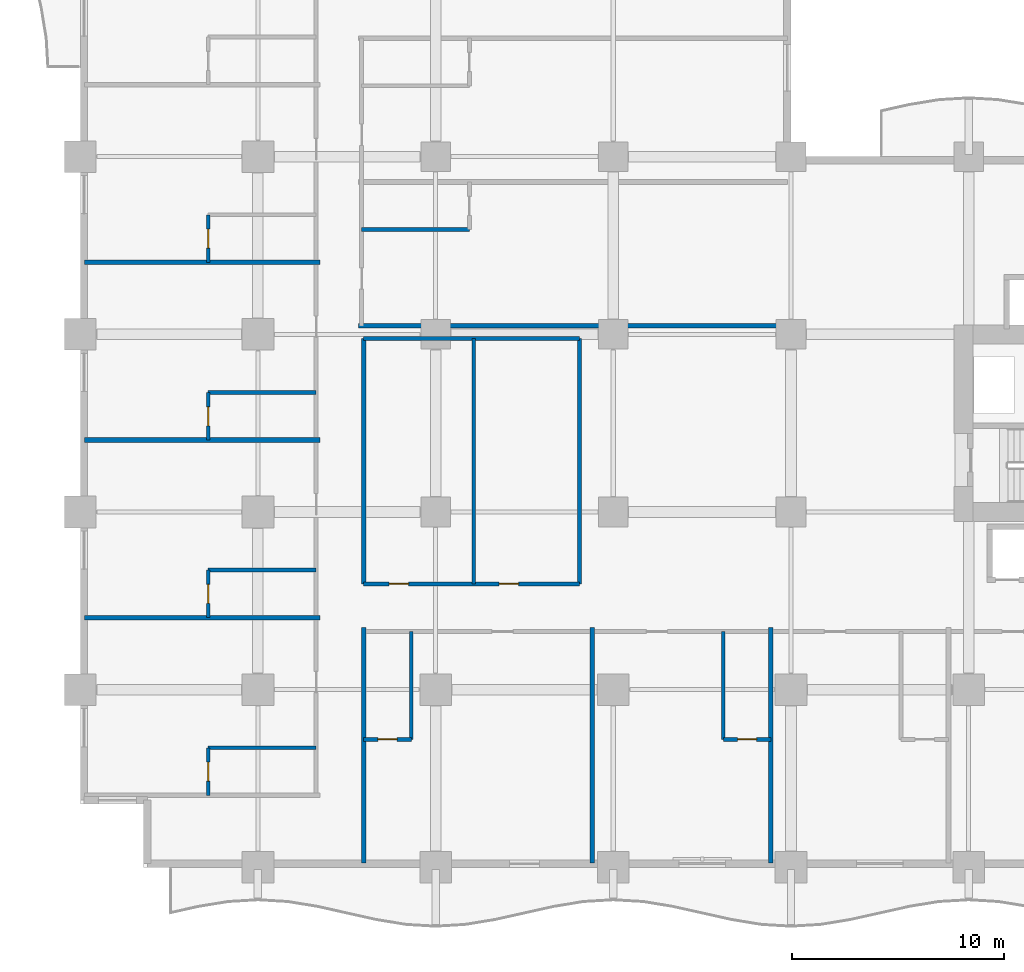
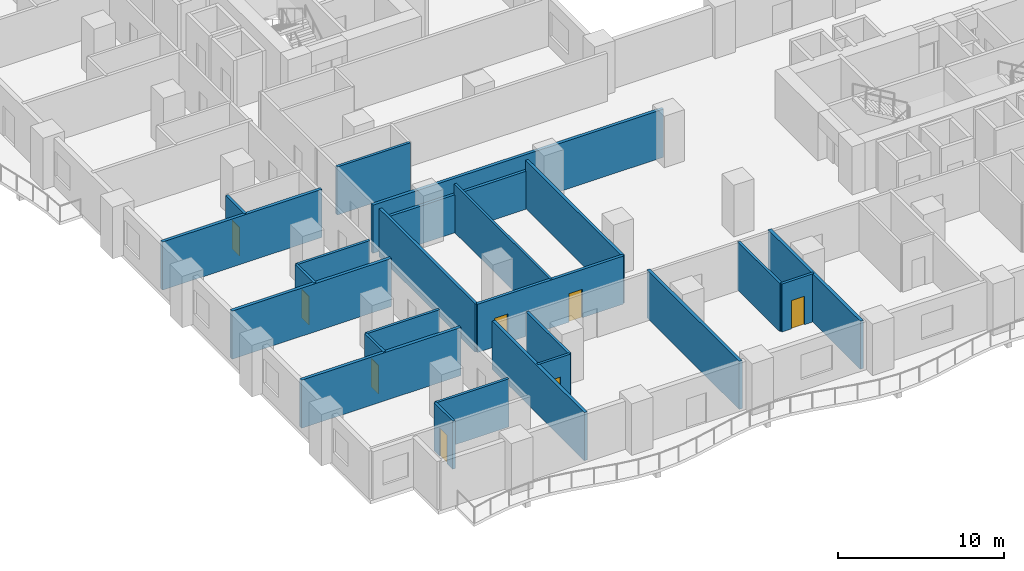
# One storey, part 7 of 23: 24 walls, 8 doors, 8 openings.
"""IFC4 building model written with IfcOpenShell, lengths in metres."""

from ifc_helpers import new_model, si_unit, direction, frame, frame_2d, origin, place, context, subcontext, project, spatial, rectangle, extrude, material, layer, layer_set, type_object, element, fill, save


model = new_model("IFC4")

# Units and contexts
model_context = context("Model", 3, precision=1e-05, world=origin(), true_north=direction((0.0, 1.0)))
body_context = subcontext(model_context, "Body", "Model", "MODEL_VIEW")
ifc_project = project(units=[si_unit("LENGTHUNIT", "METRE"), si_unit("AREAUNIT", "SQUARE_METRE"), si_unit("VOLUMEUNIT", "CUBIC_METRE"), si_unit("PLANEANGLEUNIT", "RADIAN"), si_unit("MASSUNIT", "GRAM", prefix="KILO")], contexts=[model_context])

# Site, building, storey
site_placement = place(None, origin())
site = spatial("IfcSite", under=ifc_project, at=site_placement, CompositionType="ELEMENT")
building_placement = place(site_placement, origin())
building = spatial("IfcBuilding", under=site, at=building_placement, Name="Koriwani Terraces Tower", CompositionType="ELEMENT")
storey_placement = place(building_placement, frame((0.0, 0.0, 32.0)))
storey = spatial("IfcBuildingStorey", under=building, at=storey_placement, Name="L06", CompositionType="ELEMENT", Elevation=32.0)

# Wall, openings, doors
ifc_material_1 = material(Name="Autoclaved Cellular Concrete Blockwork", Category="masonry")
ifc_layer_1 = layer(ifc_material_1, 0.199951171875, Name="Autoclaved Cellular Concrete Blockwork")
ifc_layer_set_1 = layer_set([ifc_layer_1], Name="Autoclaved Cellular Concrete Blockwork")
wall_type_1 = type_object("IfcWallType", Name="WALL_CORRIDOR_200", PredefinedType="PARTITIONING", material=ifc_layer_set_1)
wall_1_placement = place(storey_placement, frame((13.39990234375, 13.39990234375, 0.0), z_axis=(0.0, 0.0, 1.0), x_axis=(1.0, 0.0, 0.0)))
wall_1 = element("IfcWall", 1, at=wall_1_placement, inside=storey, type_object=wall_type_1, Name="L06 Interior Wall WHK-L06-S", PredefinedType="PARTITIONING", context=body_context, shape_type="SweptSolid", body=[
    extrude(rectangle(XDim=10.2001953125, YDim=0.199951171875, at=frame_2d((5.10009765625, 0.0))), origin(), (0.0, 0.0, 1.0), 3.550048828125),
])
opening_1_placement = place(wall_1_placement, frame((1.199951171875, 0.0, 0.0)))
opening_1 = element("IfcOpeningElement", 2, at=opening_1_placement, cuts=wall_1, Name="Opening D-06", PredefinedType="OPENING", context=body_context, shape_type="SweptSolid", body=[
    extrude(rectangle(XDim=0.919921875, YDim=2.10009765625, at=frame_2d((0.4599609375, 1.050048828125))), frame((0.0, 0.10986328125, 0.0), z_axis=(0.0, -1.0, 0.0), x_axis=(1.0, 0.0, 0.0)), (0.0, 0.0, 1.0), 0.219970703125),
])
opening_2_placement = place(wall_1_placement, frame((6.39990234375, 0.0, 0.0)))
opening_2 = element("IfcOpeningElement", 3, at=opening_2_placement, cuts=wall_1, Name="Opening D-06", PredefinedType="OPENING", context=body_context, shape_type="SweptSolid", body=[
    extrude(rectangle(XDim=0.919921875, YDim=2.10009765625, at=frame_2d((0.4599609375, 1.050048828125))), frame((0.0, 0.10986328125, 0.0), z_axis=(0.0, -1.0, 0.0), x_axis=(1.0, 0.0, 0.0)), (0.0, 0.0, 1.0), 0.219970703125),
])
ifc_material_2 = material(Name="Architectural Oak Fire Door", Category="wood")
door_type_1 = type_object("IfcDoorType", Name="DOOR_ROOM_INT_920X2100", OperationType="NOTDEFINED", PredefinedType="DOOR", material=ifc_material_2)
door_1_placement = place(opening_1_placement, origin())
door_1 = element("IfcDoor", 4, at=door_1_placement, inside=storey, type_object=door_type_1, Name="L06 Housekeeping and Linen Room Door", OperationType="SINGLE_SWING_RIGHT", OverallHeight=2.10009765625, OverallWidth=0.919921875, PredefinedType="DOOR", context=body_context, shape_type="SweptSolid", body=[
    extrude(rectangle(XDim=0.919921875, YDim=2.10009765625, at=frame_2d((0.4599609375, 1.050048828125))), frame((0.0, 0.02490234375, 0.0), z_axis=(0.0, -1.0, 0.0), x_axis=(1.0, 0.0, 0.0)), (0.0, 0.0, 1.0), 0.050048828125),
])
fill(opening_1, door_1)
door_2_placement = place(opening_2_placement, origin())
door_2 = element("IfcDoor", 5, at=door_2_placement, inside=storey, type_object=door_type_1, Name="L06 Guest Study Lounge Door", OperationType="SINGLE_SWING_LEFT", OverallHeight=2.10009765625, OverallWidth=0.919921875, PredefinedType="DOOR", context=body_context, shape_type="SweptSolid", body=[
    extrude(rectangle(XDim=0.919921875, YDim=2.10009765625, at=frame_2d((0.4599609375, 1.050048828125))), frame((0.0, 0.02490234375, 0.0), z_axis=(0.0, -1.0, 0.0), x_axis=(1.0, 0.0, 0.0)), (0.0, 0.0, 1.0), 0.050048828125),
])
fill(opening_2, door_2)

# Walls
wall_2_placement = place(storey_placement, frame((13.39990234375, 25.0, 0.0), z_axis=(0.0, 0.0, 1.0), x_axis=(1.0, 0.0, 0.0)))
element("IfcWall", 6, at=wall_2_placement, inside=storey, type_object=wall_type_1, Name="L06 Interior Wall WHK-L06-N", PredefinedType="PARTITIONING", context=body_context, shape_type="SweptSolid", body=[
    extrude(rectangle(XDim=10.2001953125, YDim=0.199951171875, at=frame_2d((5.10009765625, 0.0))), origin(), (0.0, 0.0, 1.0), 2.800048828125),
])
for number, where, z_axis, x_axis, name in (
    (7, (13.39990234375, 13.39990234375, 0.0), (0.0, 0.0, 1.0), (0.0, 1.0, 0.0), "L06 Interior Wall WHK-L06-W"),
    (8, (23.60009765625, 13.39990234375, 0.0), (0.0, 0.0, 1.0), (0.0, 1.0, 0.0), "L06 Interior Wall WHK-L06-E"),
):
    element("IfcWall", number, at=place(storey_placement, frame(where, z_axis=z_axis, x_axis=x_axis)), inside=storey, type_object=wall_type_1, Name=name, PredefinedType="PARTITIONING", context=body_context, shape_type="SweptSolid", body=[
        extrude(rectangle(XDim=11.60009765625, YDim=0.199951171875, at=frame_2d((5.800048828125, 0.0))), origin(), (0.0, 0.0, 1.0), 3.550048828125),
    ])
ifc_layer_2 = layer(ifc_material_1, 0.219970703125, Name="Autoclaved Cellular Concrete Blockwork")
ifc_layer_set_2 = layer_set([ifc_layer_2], Name="Autoclaved Cellular Concrete Blockwork")
wall_type_2 = type_object("IfcWallType", Name="WALL_DEMISING_220", PredefinedType="PARTITIONING", material=ifc_layer_set_2)
wall_3_placement = place(storey_placement, frame((13.14990234375, 25.60009765625, 0.0), z_axis=(0.0, 0.0, 1.0), x_axis=(1.0, 0.0, 0.0)))
element("IfcWall", 9, at=wall_3_placement, inside=storey, type_object=wall_type_2, Name="L06 Interior Wall WDEM-L06-NWI-0", PredefinedType="PARTITIONING", context=body_context, shape_type="SweptSolid", body=[
    extrude(rectangle(XDim=20.280029296875, YDim=0.219970703125, at=frame_2d((10.14013671875, 0.0))), origin(), (0.0, 0.0, 1.0), 3.550048828125),
])
for number, where, z_axis, x_axis, name in (
    (10, (0.199951171875, 11.800048828125, 0.0), (0.0, 0.0, 1.0), (1.0, 0.0, 0.0), "L06 Interior Wall WDEM-L06-NW-1"),
    (11, (0.199951171875, 20.199951171875, 0.0), (0.0, 0.0, 1.0), (1.0, 0.0, 0.0), "L06 Interior Wall WDEM-L06-NW-2"),
    (12, (0.199951171875, 28.60009765625, 0.0), (0.0, 0.0, 1.0), (1.0, 0.0, 0.0), "L06 Interior Wall WDEM-L06-NW-3"),
    (13, (13.39990234375, 0.199951171875, 0.0), (0.0, 0.0, 1.0), (0.0, 1.0, 0.0), "L06 Interior Wall WDEM-L06-SW-0"),
    (14, (24.199951171875, 0.199951171875, 0.0), (0.0, 0.0, 1.0), (0.0, 1.0, 0.0), "L06 Interior Wall WDEM-L06-SW-1"),
    (15, (32.64990234375, 0.199951171875, 0.0), (0.0, 0.0, 1.0), (0.0, 1.0, 0.0), "L06 Interior Wall WDEM-L06-SW-2"),
):
    element("IfcWall", number, at=place(storey_placement, frame(where, z_axis=z_axis, x_axis=x_axis)), inside=storey, type_object=wall_type_2, Name=name, PredefinedType="PARTITIONING", context=body_context, shape_type="SweptSolid", body=[
        extrude(rectangle(XDim=11.130126953125, YDim=0.219970703125, at=frame_2d((5.56494140625, 0.0))), origin(), (0.0, 0.0, 1.0), 3.550048828125),
    ])
ifc_material_3 = material(Name="Fire-Rated Acoustic Gypsum Partition", Category="masonry")
ifc_layer_3 = layer(ifc_material_3, 0.179931640625, Name="Fire-Rated Acoustic Gypsum Partition")
ifc_layer_set_3 = layer_set([ifc_layer_3], Name="Fire-Rated Acoustic Gypsum Partition")
wall_type_3 = type_object("IfcWallType", Name="WALL_PLUMBING_180", PredefinedType="PLUMBINGWALL", material=ifc_layer_set_3)
wall_4_placement = place(storey_placement, frame((13.300048828125, 30.14990234375, 0.0), z_axis=(0.0, 0.0, 1.0), x_axis=(1.0, 0.0, 0.0)))
element("IfcWall", 16, at=wall_4_placement, inside=storey, type_object=wall_type_3, Name="L06 Interior Wall WBTH2-L06-NWI-0", PredefinedType="PLUMBINGWALL", context=body_context, shape_type="SweptSolid", body=[
    extrude(rectangle(XDim=5.099853515625, YDim=0.179931640625, at=frame_2d((2.5498046875, 0.0))), origin(), (0.0, 0.0, 1.0), 3.550048828125),
])

# Wall, opening, door
wall_5_placement = place(storey_placement, frame((6.050048828125, 3.39990234375, 0.0), z_axis=(0.0, 0.0, 1.0), x_axis=(0.0, 1.0, 0.0)))
wall_5 = element("IfcWall", 17, at=wall_5_placement, inside=storey, type_object=wall_type_3, Name="L06 Interior Wall WBTH1-L06-NW-0", PredefinedType="PLUMBINGWALL", context=body_context, shape_type="SweptSolid", body=[
    extrude(rectangle(XDim=2.25, YDim=0.179931640625, at=frame_2d((1.125, 0.0))), origin(), (0.0, 0.0, 1.0), 3.550048828125),
])
opening_3_placement = place(wall_5_placement, frame((0.675048828125, 0.0, 0.0)))
opening_3 = element("IfcOpeningElement", 18, at=opening_3_placement, cuts=wall_5, Name="Opening D-07", PredefinedType="OPENING", context=body_context, shape_type="SweptSolid", body=[
    extrude(rectangle(XDim=0.89990234375, YDim=2.10009765625, at=frame_2d((0.449951171875, 1.050048828125))), frame((0.0, 0.10009765625, 0.0), z_axis=(0.0, -1.0, 0.0), x_axis=(1.0, 0.0, 0.0)), (0.0, 0.0, 1.0), 0.199951171875),
])
door_type_2 = type_object("IfcDoorType", Name="DOOR_BATH_INT_900X2100", OperationType="NOTDEFINED", PredefinedType="DOOR", material=ifc_material_2)
door_3_placement = place(opening_3_placement, origin())
door_3 = element("IfcDoor", 19, at=door_3_placement, inside=storey, type_object=door_type_2, Name="En-Suite Bathroom 06NW1 Door", OperationType="SINGLE_SWING_LEFT", OverallHeight=2.10009765625, OverallWidth=0.89990234375, PredefinedType="DOOR", context=body_context, shape_type="SweptSolid", body=[
    extrude(rectangle(XDim=0.89990234375, YDim=2.10009765625, at=frame_2d((0.449951171875, 1.050048828125))), frame((0.0, 0.02490234375, 0.0), z_axis=(0.0, -1.0, 0.0), x_axis=(1.0, 0.0, 0.0)), (0.0, 0.0, 1.0), 0.050048828125),
])
fill(opening_3, door_3)

# Wall
wall_6_placement = place(storey_placement, frame((6.050048828125, 5.64990234375, 0.0), z_axis=(0.0, 0.0, 1.0), x_axis=(1.0, 0.0, 0.0)))
element("IfcWall", 20, at=wall_6_placement, inside=storey, type_object=wall_type_3, Name="L06 Interior Wall WBTH2-L06-NW-0", PredefinedType="PLUMBINGWALL", context=body_context, shape_type="SweptSolid", body=[
    extrude(rectangle(XDim=5.099853515625, YDim=0.179931640625, at=frame_2d((2.5498046875, 0.0))), origin(), (0.0, 0.0, 1.0), 3.550048828125),
])

# Wall, opening, door
wall_7_placement = place(storey_placement, frame((6.050048828125, 11.800048828125, 0.0), z_axis=(0.0, 0.0, 1.0), x_axis=(0.0, 1.0, 0.0)))
wall_7 = element("IfcWall", 21, at=wall_7_placement, inside=storey, type_object=wall_type_3, Name="L06 Interior Wall WBTH1-L06-NW-1", PredefinedType="PLUMBINGWALL", context=body_context, shape_type="SweptSolid", body=[
    extrude(rectangle(XDim=2.25, YDim=0.179931640625, at=frame_2d((1.125, 0.0))), origin(), (0.0, 0.0, 1.0), 3.550048828125),
])
opening_4_placement = place(wall_7_placement, frame((0.675048828125, 0.0, 0.0)))
opening_4 = element("IfcOpeningElement", 22, at=opening_4_placement, cuts=wall_7, Name="Opening D-07", PredefinedType="OPENING", context=body_context, shape_type="SweptSolid", body=[
    extrude(rectangle(XDim=0.89990234375, YDim=2.10009765625, at=frame_2d((0.449951171875, 1.050048828125))), frame((0.0, 0.10009765625, 0.0), z_axis=(0.0, -1.0, 0.0), x_axis=(1.0, 0.0, 0.0)), (0.0, 0.0, 1.0), 0.199951171875),
])
door_4_placement = place(opening_4_placement, origin())
door_4 = element("IfcDoor", 23, at=door_4_placement, inside=storey, type_object=door_type_2, Name="En-Suite Bathroom 06NW2 Door", OperationType="SINGLE_SWING_LEFT", OverallHeight=2.10009765625, OverallWidth=0.89990234375, PredefinedType="DOOR", context=body_context, shape_type="SweptSolid", body=[
    extrude(rectangle(XDim=0.89990234375, YDim=2.10009765625, at=frame_2d((0.449951171875, 1.050048828125))), frame((0.0, 0.02490234375, 0.0), z_axis=(0.0, -1.0, 0.0), x_axis=(1.0, 0.0, 0.0)), (0.0, 0.0, 1.0), 0.050048828125),
])
fill(opening_4, door_4)

# Wall
wall_8_placement = place(storey_placement, frame((6.050048828125, 14.050048828125, 0.0), z_axis=(0.0, 0.0, 1.0), x_axis=(1.0, 0.0, 0.0)))
element("IfcWall", 24, at=wall_8_placement, inside=storey, type_object=wall_type_3, Name="L06 Interior Wall WBTH2-L06-NW-1", PredefinedType="PLUMBINGWALL", context=body_context, shape_type="SweptSolid", body=[
    extrude(rectangle(XDim=5.099853515625, YDim=0.179931640625, at=frame_2d((2.5498046875, 0.0))), origin(), (0.0, 0.0, 1.0), 3.550048828125),
])

# Wall, opening, door
wall_9_placement = place(storey_placement, frame((6.050048828125, 20.199951171875, 0.0), z_axis=(0.0, 0.0, 1.0), x_axis=(0.0, 1.0, 0.0)))
wall_9 = element("IfcWall", 25, at=wall_9_placement, inside=storey, type_object=wall_type_3, Name="L06 Interior Wall WBTH1-L06-NW-2", PredefinedType="PLUMBINGWALL", context=body_context, shape_type="SweptSolid", body=[
    extrude(rectangle(XDim=2.25, YDim=0.179931640625, at=frame_2d((1.125, 0.0))), origin(), (0.0, 0.0, 1.0), 3.550048828125),
])
opening_5_placement = place(wall_9_placement, frame((0.675048828125, 0.0, 0.0)))
opening_5 = element("IfcOpeningElement", 26, at=opening_5_placement, cuts=wall_9, Name="Opening D-07", PredefinedType="OPENING", context=body_context, shape_type="SweptSolid", body=[
    extrude(rectangle(XDim=0.89990234375, YDim=2.10009765625, at=frame_2d((0.449951171875, 1.050048828125))), frame((0.0, 0.10009765625, 0.0), z_axis=(0.0, -1.0, 0.0), x_axis=(1.0, 0.0, 0.0)), (0.0, 0.0, 1.0), 0.199951171875),
])
door_5_placement = place(opening_5_placement, origin())
door_5 = element("IfcDoor", 27, at=door_5_placement, inside=storey, type_object=door_type_2, Name="En-Suite Bathroom 06NW3 Door", OperationType="SINGLE_SWING_LEFT", OverallHeight=2.10009765625, OverallWidth=0.89990234375, PredefinedType="DOOR", context=body_context, shape_type="SweptSolid", body=[
    extrude(rectangle(XDim=0.89990234375, YDim=2.10009765625, at=frame_2d((0.449951171875, 1.050048828125))), frame((0.0, 0.02490234375, 0.0), z_axis=(0.0, -1.0, 0.0), x_axis=(1.0, 0.0, 0.0)), (0.0, 0.0, 1.0), 0.050048828125),
])
fill(opening_5, door_5)

# Wall
wall_10_placement = place(storey_placement, frame((6.050048828125, 22.449951171875, 0.0), z_axis=(0.0, 0.0, 1.0), x_axis=(1.0, 0.0, 0.0)))
element("IfcWall", 28, at=wall_10_placement, inside=storey, type_object=wall_type_3, Name="L06 Interior Wall WBTH2-L06-NW-2", PredefinedType="PLUMBINGWALL", context=body_context, shape_type="SweptSolid", body=[
    extrude(rectangle(XDim=5.099853515625, YDim=0.179931640625, at=frame_2d((2.5498046875, 0.0))), origin(), (0.0, 0.0, 1.0), 3.550048828125),
])

# Wall, opening, door
wall_11_placement = place(storey_placement, frame((6.050048828125, 28.60009765625, 0.0), z_axis=(0.0, 0.0, 1.0), x_axis=(0.0, 1.0, 0.0)))
wall_11 = element("IfcWall", 29, at=wall_11_placement, inside=storey, type_object=wall_type_3, Name="L06 Interior Wall WBTH1-L06-NW-3", PredefinedType="PLUMBINGWALL", context=body_context, shape_type="SweptSolid", body=[
    extrude(rectangle(XDim=2.25, YDim=0.179931640625, at=frame_2d((1.125, 0.0))), origin(), (0.0, 0.0, 1.0), 3.550048828125),
])
opening_6_placement = place(wall_11_placement, frame((0.675048828125, 0.0, 0.0)))
opening_6 = element("IfcOpeningElement", 30, at=opening_6_placement, cuts=wall_11, Name="Opening D-07", PredefinedType="OPENING", context=body_context, shape_type="SweptSolid", body=[
    extrude(rectangle(XDim=0.89990234375, YDim=2.10009765625, at=frame_2d((0.449951171875, 1.050048828125))), frame((0.0, 0.10009765625, 0.0), z_axis=(0.0, -1.0, 0.0), x_axis=(1.0, 0.0, 0.0)), (0.0, 0.0, 1.0), 0.199951171875),
])
door_6_placement = place(opening_6_placement, origin())
door_6 = element("IfcDoor", 31, at=door_6_placement, inside=storey, type_object=door_type_2, Name="En-Suite Bathroom 06NW4 Door", OperationType="SINGLE_SWING_LEFT", OverallHeight=2.10009765625, OverallWidth=0.89990234375, PredefinedType="DOOR", context=body_context, shape_type="SweptSolid", body=[
    extrude(rectangle(XDim=0.89990234375, YDim=2.10009765625, at=frame_2d((0.449951171875, 1.050048828125))), frame((0.0, 0.02490234375, 0.0), z_axis=(0.0, -1.0, 0.0), x_axis=(1.0, 0.0, 0.0)), (0.0, 0.0, 1.0), 0.050048828125),
])
fill(opening_6, door_6)

wall_12_placement = place(storey_placement, frame((13.39990234375, 6.050048828125, 0.0), z_axis=(0.0, 0.0, 1.0), x_axis=(1.0, 0.0, 0.0)))
wall_12 = element("IfcWall", 32, at=wall_12_placement, inside=storey, type_object=wall_type_3, Name="L06 Interior Wall WBTH1-L06-SW-0", PredefinedType="PLUMBINGWALL", context=body_context, shape_type="SweptSolid", body=[
    extrude(rectangle(XDim=2.25, YDim=0.179931640625, at=frame_2d((1.125, 0.0))), origin(), (0.0, 0.0, 1.0), 3.550048828125),
])
opening_7_placement = place(wall_12_placement, frame((0.675048828125, 0.0, 0.0)))
opening_7 = element("IfcOpeningElement", 33, at=opening_7_placement, cuts=wall_12, Name="Opening D-07", PredefinedType="OPENING", context=body_context, shape_type="SweptSolid", body=[
    extrude(rectangle(XDim=0.89990234375, YDim=2.10009765625, at=frame_2d((0.449951171875, 1.050048828125))), frame((0.0, 0.10009765625, 0.0), z_axis=(0.0, -1.0, 0.0), x_axis=(1.0, 0.0, 0.0)), (0.0, 0.0, 1.0), 0.199951171875),
])
door_7_placement = place(opening_7_placement, origin())
door_7 = element("IfcDoor", 34, at=door_7_placement, inside=storey, type_object=door_type_2, Name="En-Suite Bathroom 06SW1 Door", OperationType="SINGLE_SWING_LEFT", OverallHeight=2.10009765625, OverallWidth=0.89990234375, PredefinedType="DOOR", context=body_context, shape_type="SweptSolid", body=[
    extrude(rectangle(XDim=0.89990234375, YDim=2.10009765625, at=frame_2d((0.449951171875, 1.050048828125))), frame((0.0, 0.02490234375, 0.0), z_axis=(0.0, -1.0, 0.0), x_axis=(1.0, 0.0, 0.0)), (0.0, 0.0, 1.0), 0.050048828125),
])
fill(opening_7, door_7)

# Wall
wall_13_placement = place(storey_placement, frame((15.64990234375, 6.050048828125, 0.0), z_axis=(0.0, 0.0, 1.0), x_axis=(0.0, 1.0, 0.0)))
element("IfcWall", 35, at=wall_13_placement, inside=storey, type_object=wall_type_3, Name="L06 Interior Wall WBTH2-L06-SW-0", PredefinedType="PLUMBINGWALL", context=body_context, shape_type="SweptSolid", body=[
    extrude(rectangle(XDim=5.099853515625, YDim=0.179931640625, at=frame_2d((2.5498046875, 0.0))), origin(), (0.0, 0.0, 1.0), 3.550048828125),
])

# Wall, opening, door
wall_14_placement = place(storey_placement, frame((30.39990234375, 6.050048828125, 0.0), z_axis=(0.0, 0.0, 1.0), x_axis=(1.0, 0.0, 0.0)))
wall_14 = element("IfcWall", 36, at=wall_14_placement, inside=storey, type_object=wall_type_3, Name="L06 Interior Wall WBTH1-L06-SW-1", PredefinedType="PLUMBINGWALL", context=body_context, shape_type="SweptSolid", body=[
    extrude(rectangle(XDim=2.25, YDim=0.179931640625, at=frame_2d((1.125, 0.0))), origin(), (0.0, 0.0, 1.0), 3.550048828125),
])
opening_8_placement = place(wall_14_placement, frame((0.675048828125, 0.0, 0.0)))
opening_8 = element("IfcOpeningElement", 37, at=opening_8_placement, cuts=wall_14, Name="Opening D-07", PredefinedType="OPENING", context=body_context, shape_type="SweptSolid", body=[
    extrude(rectangle(XDim=0.89990234375, YDim=2.10009765625, at=frame_2d((0.449951171875, 1.050048828125))), frame((0.0, 0.10009765625, 0.0), z_axis=(0.0, -1.0, 0.0), x_axis=(1.0, 0.0, 0.0)), (0.0, 0.0, 1.0), 0.199951171875),
])
door_8_placement = place(opening_8_placement, origin())
door_8 = element("IfcDoor", 38, at=door_8_placement, inside=storey, type_object=door_type_2, Name="En-Suite Bathroom 06SW2 Door", OperationType="SINGLE_SWING_LEFT", OverallHeight=2.10009765625, OverallWidth=0.89990234375, PredefinedType="DOOR", context=body_context, shape_type="SweptSolid", body=[
    extrude(rectangle(XDim=0.89990234375, YDim=2.10009765625, at=frame_2d((0.449951171875, 1.050048828125))), frame((0.0, 0.02490234375, 0.0), z_axis=(0.0, -1.0, 0.0), x_axis=(1.0, 0.0, 0.0)), (0.0, 0.0, 1.0), 0.050048828125),
])
fill(opening_8, door_8)

# Walls
wall_15_placement = place(storey_placement, frame((30.39990234375, 6.050048828125, 0.0), z_axis=(0.0, 0.0, 1.0), x_axis=(0.0, 1.0, 0.0)))
element("IfcWall", 39, at=wall_15_placement, inside=storey, type_object=wall_type_3, Name="L06 Interior Wall WBTH2-L06-SW-1", PredefinedType="PLUMBINGWALL", context=body_context, shape_type="SweptSolid", body=[
    extrude(rectangle(XDim=5.099853515625, YDim=0.179931640625, at=frame_2d((2.5498046875, 0.0))), origin(), (0.0, 0.0, 1.0), 3.550048828125),
])
ifc_layer_4 = layer(ifc_material_3, 0.159912109375, Name="Fire-Rated Acoustic Gypsum Partition")
ifc_layer_set_4 = layer_set([ifc_layer_4], Name="Fire-Rated Acoustic Gypsum Partition")
wall_type_4 = type_object("IfcWallType", Name="WALL_SUITE_160", PredefinedType="PARTITIONING", material=ifc_layer_set_4)
wall_16_placement = place(storey_placement, frame((18.60009765625, 13.39990234375, 0.0), z_axis=(0.0, 0.0, 1.0), x_axis=(0.0, 1.0, 0.0)))
element("IfcWall", 40, at=wall_16_placement, inside=storey, type_object=wall_type_4, Name="L06 Interior Wall WHK-L06-M", PredefinedType="PARTITIONING", context=body_context, shape_type="SweptSolid", body=[
    extrude(rectangle(XDim=11.60009765625, YDim=0.159912109375, at=frame_2d((5.800048828125, 0.0))), origin(), (0.0, 0.0, 1.0), 3.550048828125),
])

save(model, "model.ifc")
